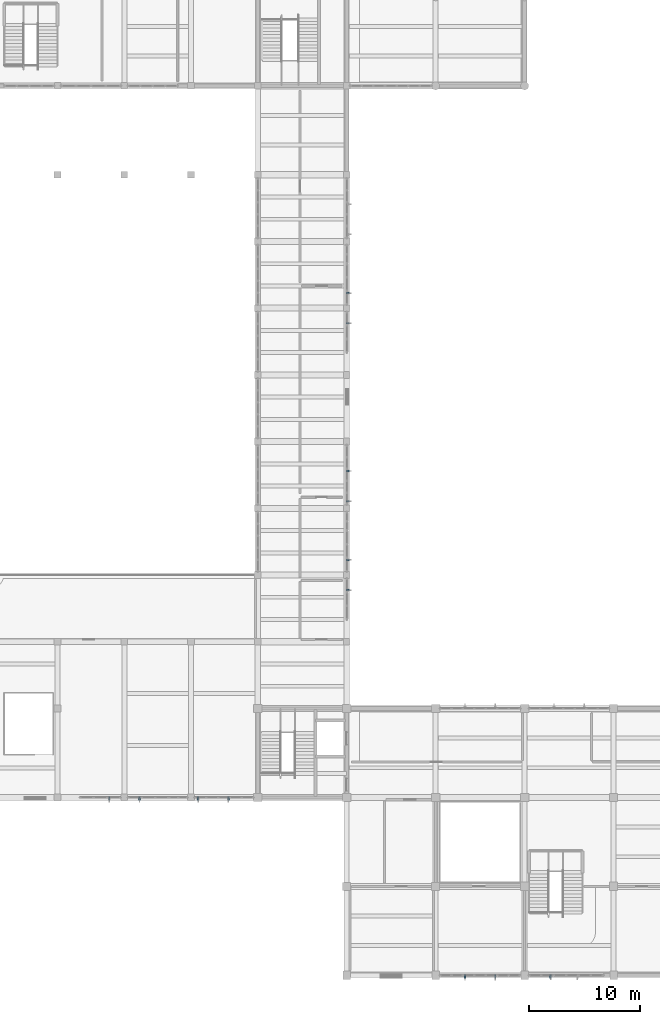
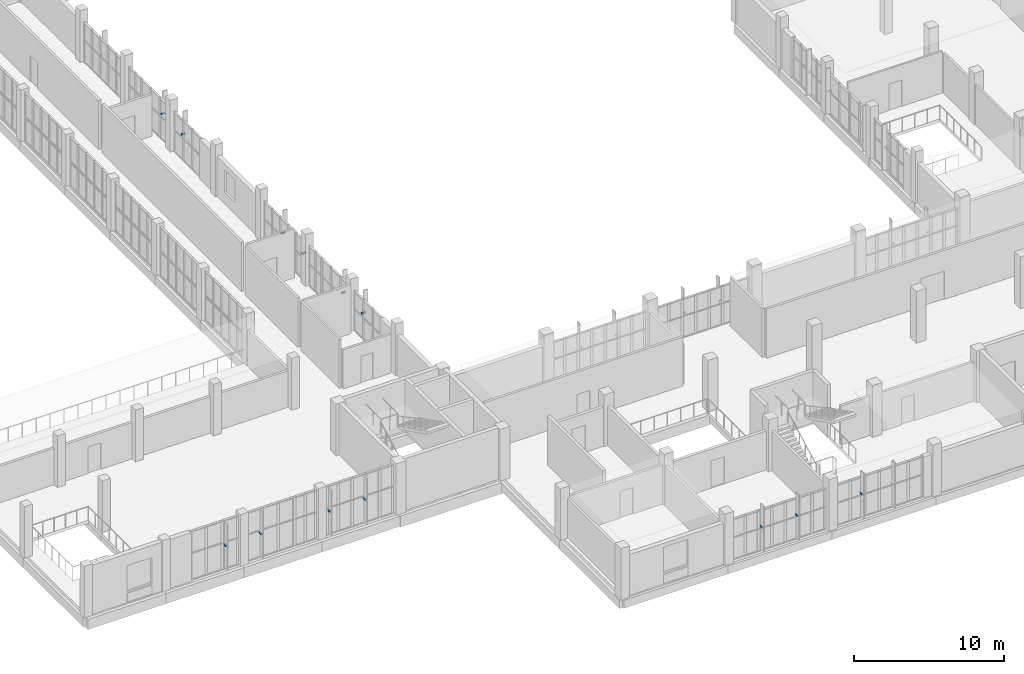
# One storey, part 70 of 85: 13 discrete accessories.
"""IFC4 building model written with IfcOpenShell, lengths in metres."""

from ifc_helpers import new_model, si_unit, direction, frame, origin, origin_2d, place, context, subcontext, project, spatial, rectangle, extrude, material, type_object, element, save


model = new_model("IFC4")

# Units and contexts
model_context = context("Model", 3, precision=1e-05, world=origin(), true_north=direction((0.0, 1.0)))
body_context = subcontext(model_context, "Body", "Model", "MODEL_VIEW")
ifc_project = project(units=[si_unit("LENGTHUNIT", "METRE"), si_unit("AREAUNIT", "SQUARE_METRE"), si_unit("VOLUMEUNIT", "CUBIC_METRE"), si_unit("PLANEANGLEUNIT", "RADIAN"), si_unit("MASSUNIT", "GRAM", prefix="KILO")], contexts=[model_context])

# Site, building, storey
site_placement = place(None, origin())
site = spatial("IfcSite", under=ifc_project, at=site_placement, CompositionType="ELEMENT")
building_placement = place(site_placement, origin())
building = spatial("IfcBuilding", under=site, at=building_placement, Name="Solvane Community Centre", CompositionType="ELEMENT")
storey_placement = place(building_placement, frame((0.0, 0.0, 5.39990234375)))
storey = spatial("IfcBuildingStorey", under=building, at=storey_placement, Name="L01", CompositionType="ELEMENT", Elevation=5.39990234375)

# Discrete accessories
ifc_material = material(Name="Steel ASTM A572 Grade 50", Category="steel")
discrete_accessory_type = type_object("IfcDiscreteAccessoryType", Name="Fin Mounting Bracket 120x120", PredefinedType="BRACKET", material=ifc_material)
for number, where, z_axis, x_axis, name in (
    (1, (86.33544921875, 5.89990234375, 1.929931640625), (0.0, 0.0, 1.0), (-1.0, 0.0, 0.0), "Fin Bracket 38"),
    (2, (81.360107421875, 5.89990234375, 1.929931640625), (0.0, 0.0, 1.0), (-1.0, 0.0, 0.0), "Fin Bracket 39"),
    (3, (78.639892578125, 5.89990234375, 1.929931640625), (0.0, 0.0, 1.0), (-1.0, 0.0, 0.0), "Fin Bracket 40"),
    (4, (57.360107421875, 21.89990234375, 1.929931640625), (0.0, 0.0, 1.0), (-1.0, 0.0, 0.0), "Fin Bracket 41"),
    (5, (54.639892578125, 21.89990234375, 1.929931640625), (0.0, 0.0, 1.0), (-1.0, 0.0, 0.0), "Fin Bracket 42"),
    (6, (49.360107421875, 21.89990234375, 1.929931640625), (0.0, 0.0, 1.0), (-1.0, 0.0, 0.0), "Fin Bracket 43"),
    (7, (46.639892578125, 21.89990234375, 1.929931640625), (0.0, 0.0, 1.0), (-1.0, 0.0, 0.0), "Fin Bracket 44"),
    (8, (68.10009765625, 67.360107421875, 1.929931640625), (0.0, 0.0, 1.0), (0.0, -1.0, 0.0), "Fin Bracket 51"),
    (9, (68.10009765625, 64.639892578125, 1.929931640625), (0.0, 0.0, 1.0), (0.0, -1.0, 0.0), "Fin Bracket 52"),
    (10, (68.10009765625, 51.360107421875, 1.929931640625), (0.0, 0.0, 1.0), (0.0, -1.0, 0.0), "Fin Bracket 53"),
    (11, (68.10009765625, 48.639892578125, 1.929931640625), (0.0, 0.0, 1.0), (0.0, -1.0, 0.0), "Fin Bracket 54"),
    (12, (68.10009765625, 43.360107421875, 1.929931640625), (0.0, 0.0, 1.0), (0.0, -1.0, 0.0), "Fin Bracket 55"),
    (13, (68.10009765625, 40.639892578125, 1.929931640625), (0.0, 0.0, 1.0), (0.0, -1.0, 0.0), "Fin Bracket 56"),
):
    element("IfcDiscreteAccessory", number, at=place(storey_placement, frame(where, z_axis=z_axis, x_axis=x_axis)), inside=storey, type_object=discrete_accessory_type, Name=name, PredefinedType="BRACKET", context=body_context, shape_type="SweptSolid", body=[
        extrude(rectangle(XDim=0.1201171875, YDim=0.300048828125, at=origin_2d()), origin(), (0.0, 0.0, 1.0), 0.1201171875),
    ])

save(model, "model.ifc")
